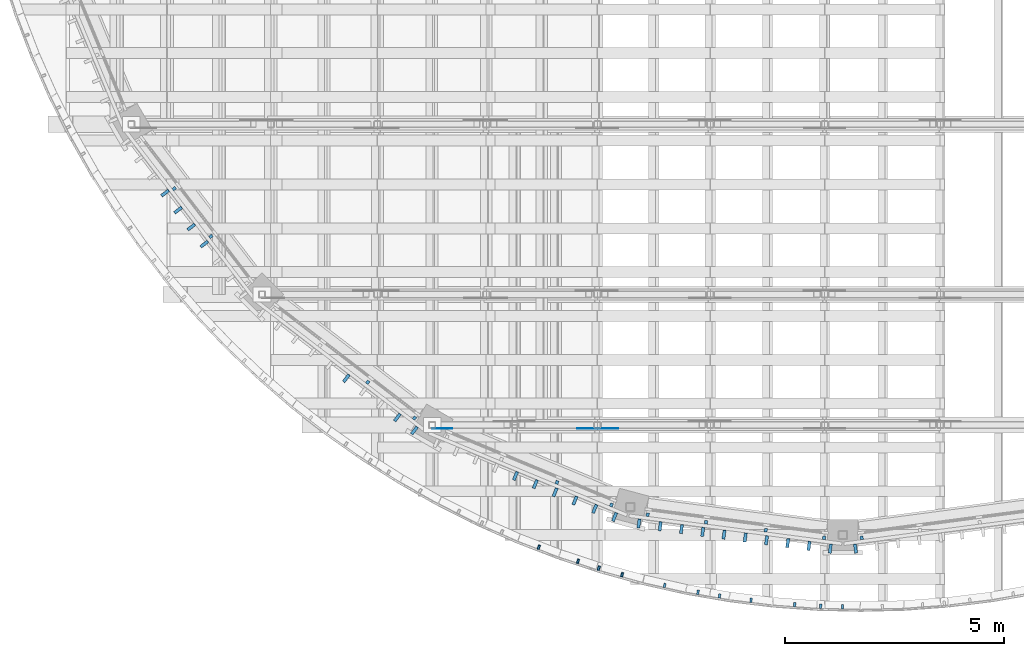
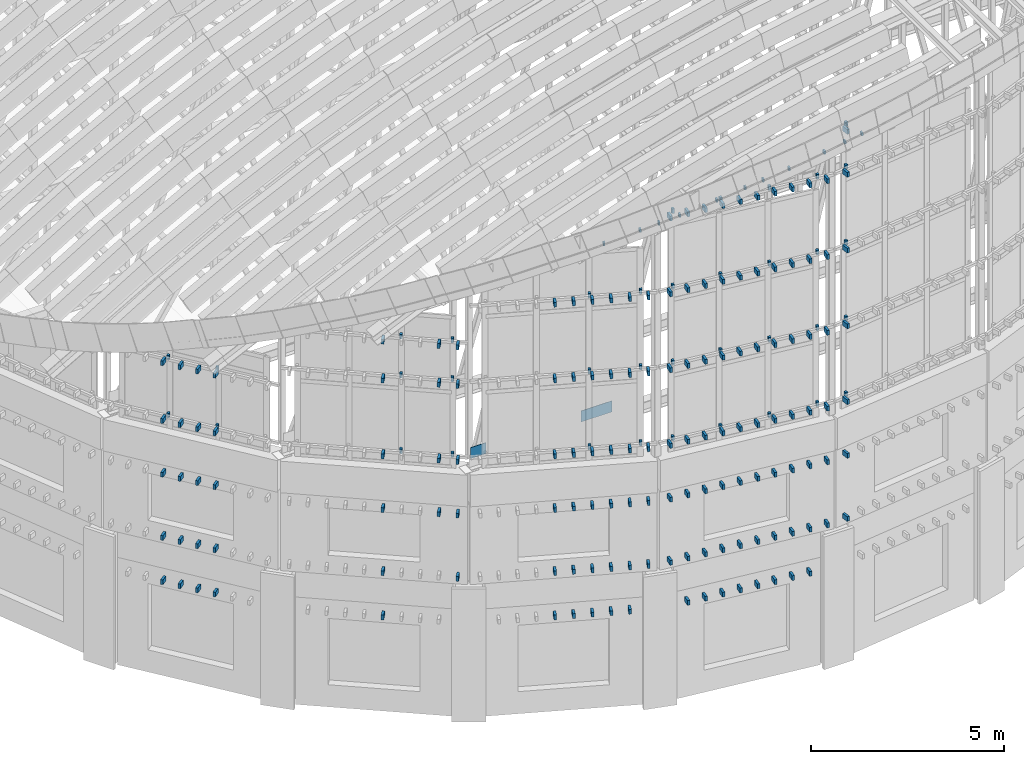
# One storey, part 68 of 105: 195 discrete accessories.
"""IFC4 building model written with IfcOpenShell, lengths in metres."""

from ifc_helpers import new_model, si_unit, direction, frame, origin, origin_2d, place, context, subcontext, project, spatial, polyline, rectangle, outline, extrude, material, type_object, element, save


model = new_model("IFC4")

# Units and contexts
model_context = context("Model", 3, precision=1e-05, world=origin(), true_north=direction((0.0, 1.0)))
body_context = subcontext(model_context, "Body", "Model", "MODEL_VIEW")
ifc_project = project(units=[si_unit("LENGTHUNIT", "METRE"), si_unit("AREAUNIT", "SQUARE_METRE"), si_unit("VOLUMEUNIT", "CUBIC_METRE"), si_unit("PLANEANGLEUNIT", "RADIAN"), si_unit("MASSUNIT", "GRAM", prefix="KILO")], contexts=[model_context])

# Site, building, storey
site_placement = place(None, origin())
site = spatial("IfcSite", under=ifc_project, at=site_placement, CompositionType="ELEMENT")
building_placement = place(site_placement, origin())
building = spatial("IfcBuilding", under=site, at=building_placement, Name="Wasatch Bagh Community Centre", CompositionType="ELEMENT")
storey_placement = place(building_placement, frame((0.0, 0.0, 16.800048828125)))
storey = spatial("IfcBuildingStorey", under=building, at=storey_placement, Name="L04", CompositionType="ELEMENT", Elevation=16.800048828125)

# Discrete accessories
ifc_material = material(Name="ASTM A36 steel", Category="steel")
discrete_accessory_type_1 = type_object("IfcDiscreteAccessoryType", Name="MH fascia bracket", PredefinedType="BRACKET", material=ifc_material)
for number, where, z_axis, x_axis, name in (
    (1, (35.991455078125, 14.610107421875, 17.50634765625), (0.0, 0.0, 1.0), (-0.024541228523, -0.999698818696, 0.0), "Fascia bracket 38"),
    (2, (35.4921875, 14.622314453125, 17.415283203125), (0.0, 0.0, 1.0), (-0.024541228523, -0.999698818696, 0.0), "Fascia bracket 39"),
    (3, (34.899658203125, 14.661376953125, 17.275634765625), (0.0, 0.0, 1.0), (-0.0735645636, -0.997290456679, 0.0), "Fascia bracket 40"),
    (4, (33.903564453125, 14.759521484375, 17.04052734375), (0.0, 0.0, 1.0), (-0.122410675199, -0.992479534599, 0.0), "Fascia bracket 41"),
    (5, (33.1845703125, 14.859375, 16.870849609375), (0.0, 0.0, 1.0), (-0.17096188876, -0.985277642389, 0.0), "Fascia bracket 42"),
    (6, (32.692626953125, 14.944580078125, 16.745849609375), (0.0, 0.0, 1.0), (-0.17096188876, -0.985277642389, 0.0), "Fascia bracket 43"),
    (7, (31.931640625, 15.1015625, 16.5244140625), (0.0, 0.0, 1.0), (-0.219101240157, -0.975702130039, 0.0), "Fascia bracket 44"),
    (8, (30.960693359375, 15.344970703125, 16.24169921875), (0.0, 0.0, 1.0), (-0.266712757475, -0.963776065795, 0.0), "Fascia bracket 45"),
    (9, (30.42822265625, 15.494873046875, 16.0869140625), (0.0, 0.0, 1.0), (-0.313681740399, -0.949528180593, 0.0), "Fascia bracket 46"),
    (10, (29.9541015625, 15.651611328125, 15.93212890625), (0.0, 0.0, 1.0), (-0.313681740399, -0.949528180593, 0.0), "Fascia bracket 47"),
    (11, (29.060302734375, 15.97265625, 15.62109375), (0.0, 0.0, 1.0), (-0.359895036535, -0.932992798835, 0.0), "Fascia bracket 48"),
):
    element("IfcDiscreteAccessory", number, at=place(storey_placement, frame(where, z_axis=z_axis, x_axis=x_axis)), inside=storey, type_object=discrete_accessory_type_1, Name=name, PredefinedType="BRACKET", context=body_context, shape_type="SweptSolid", body=[
        extrude(rectangle(XDim=0.10009765625, YDim=0.050048828125, at=origin_2d()), origin(), (0.0, 0.0, 1.0), 0.10009765625),
    ])
discrete_accessory_type_2 = type_object("IfcDiscreteAccessoryType", Name="MH fin bracket", PredefinedType="BRACKET", material=ifc_material)
for number, where, z_axis, x_axis, name in (
    (12, (20.52734375, 24.052734375, 3.02490234375), (0.0, 0.0, 1.0), (0.608761429009, -0.793353340291, 0.0), "Fin bracket 3.4.4"),
    (13, (20.52734375, 24.052734375, 4.425048828125), (0.0, 0.0, 1.0), (0.608761429009, -0.793353340291, 0.0), "Fin bracket 3.4.5"),
    (14, (20.52734375, 24.052734375, 6.425048828125), (0.0, 0.0, 1.0), (0.608761429009, -0.793353340291, 0.0), "Fin bracket 3.4.6"),
    (15, (20.8251953125, 23.66455078125, 3.02490234375), (0.0, 0.0, 1.0), (0.608761429009, -0.793353340291, 0.0), "Fin bracket 3.5.4"),
    (16, (20.8251953125, 23.66455078125, 4.425048828125), (0.0, 0.0, 1.0), (0.608761429009, -0.793353340291, 0.0), "Fin bracket 3.5.5"),
    (17, (20.8251953125, 23.66455078125, 6.425048828125), (0.0, 0.0, 1.0), (0.608761429009, -0.793353340291, 0.0), "Fin bracket 3.5.6"),
    (18, (21.123291015625, 23.276123046875, 3.02490234375), (0.0, 0.0, 1.0), (0.608761429009, -0.793353340291, 0.0), "Fin bracket 3.6.4"),
    (19, (21.123291015625, 23.276123046875, 4.425048828125), (0.0, 0.0, 1.0), (0.608761429009, -0.793353340291, 0.0), "Fin bracket 3.6.5"),
    (20, (21.123291015625, 23.276123046875, 6.425048828125), (0.0, 0.0, 1.0), (0.608761429009, -0.793353340291, 0.0), "Fin bracket 3.6.6"),
    (21, (21.421142578125, 22.887939453125, 3.02490234375), (0.0, 0.0, 1.0), (0.608761429009, -0.793353340291, 0.0), "Fin bracket 3.7.4"),
    (22, (21.421142578125, 22.887939453125, 4.425048828125), (0.0, 0.0, 1.0), (0.608761429009, -0.793353340291, 0.0), "Fin bracket 3.7.5"),
    (23, (21.421142578125, 22.887939453125, 6.425048828125), (0.0, 0.0, 1.0), (0.608761429009, -0.793353340291, 0.0), "Fin bracket 3.7.6"),
    (24, (24.66455078125, 19.8251953125, 3.02490234375), (0.0, 0.0, 1.0), (0.793353340291, -0.608761429009, 0.0), "Fin bracket 4.6.4"),
    (25, (24.66455078125, 19.8251953125, 4.425048828125), (0.0, 0.0, 1.0), (0.793353340291, -0.608761429009, 0.0), "Fin bracket 4.6.5"),
    (26, (24.66455078125, 19.8251953125, 6.425048828125), (0.0, 0.0, 1.0), (0.793353340291, -0.608761429009, 0.0), "Fin bracket 4.6.6"),
    (27, (25.829345703125, 18.931396484375, 6.425048828125), (0.0, 0.0, 1.0), (0.793353340291, -0.608761429009, 0.0), "Fin bracket 4.9.6"),
    (28, (26.2177734375, 18.63330078125, 4.425048828125), (0.0, 0.0, 1.0), (0.793353340291, -0.608761429009, 0.0), "Fin bracket 4.10.5"),
    (29, (26.2177734375, 18.63330078125, 6.425048828125), (0.0, 0.0, 1.0), (0.793353340291, -0.608761429009, 0.0), "Fin bracket 4.10.6"),
    (30, (28.526123046875, 17.595703125, 3.02490234375), (0.0, 0.0, 1.0), (0.923879532511, -0.382683432365, 0.0), "Fin bracket 5.5.4"),
    (31, (28.526123046875, 17.595703125, 4.425048828125), (0.0, 0.0, 1.0), (0.923879532511, -0.382683432365, 0.0), "Fin bracket 5.5.5"),
    (32, (28.526123046875, 17.595703125, 6.425048828125), (0.0, 0.0, 1.0), (0.923879532511, -0.382683432365, 0.0), "Fin bracket 5.5.6"),
    (33, (28.978271484375, 17.408447265625, 3.02490234375), (0.0, 0.0, 1.0), (0.923879532511, -0.382683432365, 0.0), "Fin bracket 5.6.4"),
    (34, (28.978271484375, 17.408447265625, 4.425048828125), (0.0, 0.0, 1.0), (0.923879532511, -0.382683432365, 0.0), "Fin bracket 5.6.5"),
    (35, (28.978271484375, 17.408447265625, 6.425048828125), (0.0, 0.0, 1.0), (0.923879532511, -0.382683432365, 0.0), "Fin bracket 5.6.6"),
    (36, (29.430419921875, 17.22119140625, 3.02490234375), (0.0, 0.0, 1.0), (0.923879532511, -0.382683432365, 0.0), "Fin bracket 5.7.4"),
    (37, (29.430419921875, 17.22119140625, 4.425048828125), (0.0, 0.0, 1.0), (0.923879532511, -0.382683432365, 0.0), "Fin bracket 5.7.5"),
    (38, (29.430419921875, 17.22119140625, 6.425048828125), (0.0, 0.0, 1.0), (0.923879532511, -0.382683432365, 0.0), "Fin bracket 5.7.6"),
    (39, (29.882568359375, 17.033935546875, 3.02490234375), (0.0, 0.0, 1.0), (0.923879532511, -0.382683432365, 0.0), "Fin bracket 5.8.4"),
    (40, (29.882568359375, 17.033935546875, 4.425048828125), (0.0, 0.0, 1.0), (0.923879532511, -0.382683432365, 0.0), "Fin bracket 5.8.5"),
    (41, (29.882568359375, 17.033935546875, 6.425048828125), (0.0, 0.0, 1.0), (0.923879532511, -0.382683432365, 0.0), "Fin bracket 5.8.6"),
    (42, (30.3349609375, 16.846435546875, 3.02490234375), (0.0, 0.0, 1.0), (0.923879532511, -0.382683432365, 0.0), "Fin bracket 5.9.4"),
    (43, (30.3349609375, 16.846435546875, 4.425048828125), (0.0, 0.0, 1.0), (0.923879532511, -0.382683432365, 0.0), "Fin bracket 5.9.5"),
    (44, (30.3349609375, 16.846435546875, 6.425048828125), (0.0, 0.0, 1.0), (0.923879532511, -0.382683432365, 0.0), "Fin bracket 5.9.6"),
    (45, (30.787109375, 16.6591796875, 4.425048828125), (0.0, 0.0, 1.0), (0.923879532511, -0.382683432365, 0.0), "Fin bracket 5.10.5"),
    (46, (30.787109375, 16.6591796875, 6.425048828125), (0.0, 0.0, 1.0), (0.923879532511, -0.382683432365, 0.0), "Fin bracket 5.10.6"),
    (47, (31.343994140625, 16.510009765625, 4.425048828125), (0.0, 0.0, 1.0), (0.991444861374, -0.13052619222, 0.0), "Fin bracket 6.1.5"),
    (48, (31.343994140625, 16.510009765625, 6.425048828125), (0.0, 0.0, 1.0), (0.991444861374, -0.13052619222, 0.0), "Fin bracket 6.1.6"),
    (49, (31.829345703125, 16.446044921875, 3.02490234375), (0.0, 0.0, 1.0), (0.991444861374, -0.13052619222, 0.0), "Fin bracket 6.2.4"),
    (50, (31.829345703125, 16.446044921875, 4.425048828125), (0.0, 0.0, 1.0), (0.991444861374, -0.13052619222, 0.0), "Fin bracket 6.2.5"),
    (51, (31.829345703125, 16.446044921875, 6.425048828125), (0.0, 0.0, 1.0), (0.991444861374, -0.13052619222, 0.0), "Fin bracket 6.2.6"),
    (52, (32.314697265625, 16.382080078125, 3.02490234375), (0.0, 0.0, 1.0), (0.991444861374, -0.13052619222, 0.0), "Fin bracket 6.3.4"),
    (53, (32.314697265625, 16.382080078125, 4.425048828125), (0.0, 0.0, 1.0), (0.991444861374, -0.13052619222, 0.0), "Fin bracket 6.3.5"),
    (54, (32.314697265625, 16.382080078125, 6.425048828125), (0.0, 0.0, 1.0), (0.991444861374, -0.13052619222, 0.0), "Fin bracket 6.3.6"),
    (55, (32.800048828125, 16.318359375, 3.02490234375), (0.0, 0.0, 1.0), (0.991444861374, -0.13052619222, 0.0), "Fin bracket 6.4.4"),
    (56, (32.800048828125, 16.318359375, 4.425048828125), (0.0, 0.0, 1.0), (0.991444861374, -0.13052619222, 0.0), "Fin bracket 6.4.5"),
    (57, (32.800048828125, 16.318359375, 6.425048828125), (0.0, 0.0, 1.0), (0.991444861374, -0.13052619222, 0.0), "Fin bracket 6.4.6"),
    (58, (33.28515625, 16.25439453125, 3.02490234375), (0.0, 0.0, 1.0), (0.991444861374, -0.13052619222, 0.0), "Fin bracket 6.5.4"),
    (59, (33.28515625, 16.25439453125, 4.425048828125), (0.0, 0.0, 1.0), (0.991444861374, -0.13052619222, 0.0), "Fin bracket 6.5.5"),
    (60, (33.28515625, 16.25439453125, 6.425048828125), (0.0, 0.0, 1.0), (0.991444861374, -0.13052619222, 0.0), "Fin bracket 6.5.6"),
    (61, (33.7705078125, 16.1904296875, 3.02490234375), (0.0, 0.0, 1.0), (0.991444861374, -0.13052619222, 0.0), "Fin bracket 6.6.4"),
    (62, (33.7705078125, 16.1904296875, 4.425048828125), (0.0, 0.0, 1.0), (0.991444861374, -0.13052619222, 0.0), "Fin bracket 6.6.5"),
    (63, (33.7705078125, 16.1904296875, 6.425048828125), (0.0, 0.0, 1.0), (0.991444861374, -0.13052619222, 0.0), "Fin bracket 6.6.6"),
    (64, (34.255859375, 16.126708984375, 3.02490234375), (0.0, 0.0, 1.0), (0.991444861374, -0.13052619222, 0.0), "Fin bracket 6.7.4"),
    (65, (34.255859375, 16.126708984375, 4.425048828125), (0.0, 0.0, 1.0), (0.991444861374, -0.13052619222, 0.0), "Fin bracket 6.7.5"),
    (66, (34.255859375, 16.126708984375, 6.425048828125), (0.0, 0.0, 1.0), (0.991444861374, -0.13052619222, 0.0), "Fin bracket 6.7.6"),
    (67, (34.7412109375, 16.062744140625, 3.02490234375), (0.0, 0.0, 1.0), (0.991444861374, -0.13052619222, 0.0), "Fin bracket 6.8.4"),
    (68, (34.7412109375, 16.062744140625, 4.425048828125), (0.0, 0.0, 1.0), (0.991444861374, -0.13052619222, 0.0), "Fin bracket 6.8.5"),
    (69, (34.7412109375, 16.062744140625, 6.425048828125), (0.0, 0.0, 1.0), (0.991444861374, -0.13052619222, 0.0), "Fin bracket 6.8.6"),
    (70, (35.226318359375, 15.998779296875, 3.02490234375), (0.0, 0.0, 1.0), (0.991444861374, -0.13052619222, 0.0), "Fin bracket 6.9.4"),
    (71, (35.226318359375, 15.998779296875, 4.425048828125), (0.0, 0.0, 1.0), (0.991444861374, -0.13052619222, 0.0), "Fin bracket 6.9.5"),
    (72, (35.226318359375, 15.998779296875, 6.425048828125), (0.0, 0.0, 1.0), (0.991444861374, -0.13052619222, 0.0), "Fin bracket 6.9.6"),
    (73, (35.711669921875, 15.93505859375, 4.425048828125), (0.0, 0.0, 1.0), (0.991444861374, -0.13052619222, 0.0), "Fin bracket 6.10.5"),
    (74, (35.711669921875, 15.93505859375, 6.425048828125), (0.0, 0.0, 1.0), (0.991444861374, -0.13052619222, 0.0), "Fin bracket 6.10.6"),
    (75, (36.288330078125, 15.93505859375, 4.425048828125), (0.0, 0.0, 1.0), (0.991444861374, 0.13052619222, 0.0), "Fin bracket 7.1.5"),
    (76, (36.288330078125, 15.93505859375, 6.425048828125), (0.0, 0.0, 1.0), (0.991444861374, 0.13052619222, 0.0), "Fin bracket 7.1.6"),
):
    element("IfcDiscreteAccessory", number, at=place(storey_placement, frame(where, z_axis=z_axis, x_axis=x_axis)), inside=storey, type_object=discrete_accessory_type_2, Name=name, PredefinedType="BRACKET", context=body_context, shape_type="SweptSolid", body=[
        extrude(rectangle(XDim=0.070068359375, YDim=0.199951171875, at=origin_2d()), origin(), (0.0, 0.0, 1.0), 0.14990234375),
    ])
discrete_accessory_type_3 = type_object("IfcDiscreteAccessoryType", Name="MH fin bracket (rail)", PredefinedType="BRACKET", material=ifc_material)
for number, where, z_axis, x_axis, name in (
    (77, (20.53125, 24.055908203125, 8.125), (0.0, 0.0, 1.0), (0.608761429009, -0.793353340291, 0.0), "Fin bracket 3.4.r1"),
    (78, (20.8291015625, 23.66748046875, 8.125), (0.0, 0.0, 1.0), (0.608761429009, -0.793353340291, 0.0), "Fin bracket 3.5.r1"),
    (79, (21.127197265625, 23.279296875, 8.125), (0.0, 0.0, 1.0), (0.608761429009, -0.793353340291, 0.0), "Fin bracket 3.6.r1"),
    (80, (21.425048828125, 22.890869140625, 8.125), (0.0, 0.0, 1.0), (0.608761429009, -0.793353340291, 0.0), "Fin bracket 3.7.r1"),
    (81, (20.53125, 24.055908203125, 9.955078125), (0.0, 0.0, 1.0), (0.608761429009, -0.793353340291, 0.0), "Fin bracket 3.4.r2"),
    (82, (20.8291015625, 23.66748046875, 9.955078125), (0.0, 0.0, 1.0), (0.608761429009, -0.793353340291, 0.0), "Fin bracket 3.5.r2"),
    (83, (21.127197265625, 23.279296875, 9.955078125), (0.0, 0.0, 1.0), (0.608761429009, -0.793353340291, 0.0), "Fin bracket 3.6.r2"),
    (84, (21.425048828125, 22.890869140625, 9.955078125), (0.0, 0.0, 1.0), (0.608761429009, -0.793353340291, 0.0), "Fin bracket 3.7.r2"),
    (85, (24.66748046875, 19.8291015625, 8.125), (0.0, 0.0, 1.0), (0.793353340291, -0.608761429009, 0.0), "Fin bracket 4.6.r1"),
    (86, (25.83251953125, 18.935302734375, 8.125), (0.0, 0.0, 1.0), (0.793353340291, -0.608761429009, 0.0), "Fin bracket 4.9.r1"),
    (87, (26.220703125, 18.63720703125, 8.125), (0.0, 0.0, 1.0), (0.793353340291, -0.608761429009, 0.0), "Fin bracket 4.10.r1"),
    (88, (24.66748046875, 19.8291015625, 10.52490234375), (0.0, 0.0, 1.0), (0.793353340291, -0.608761429009, 0.0), "Fin bracket 4.6.r2"),
    (89, (25.83251953125, 18.935302734375, 10.52490234375), (0.0, 0.0, 1.0), (0.793353340291, -0.608761429009, 0.0), "Fin bracket 4.9.r2"),
    (90, (26.220703125, 18.63720703125, 10.52490234375), (0.0, 0.0, 1.0), (0.793353340291, -0.608761429009, 0.0), "Fin bracket 4.10.r2"),
    (91, (24.66748046875, 19.8291015625, 11.7548828125), (0.0, 0.0, 1.0), (0.793353340291, -0.608761429009, 0.0), "Fin bracket 4.6.r3"),
    (92, (25.83251953125, 18.935302734375, 11.7548828125), (0.0, 0.0, 1.0), (0.793353340291, -0.608761429009, 0.0), "Fin bracket 4.9.r3"),
    (93, (26.220703125, 18.63720703125, 11.7548828125), (0.0, 0.0, 1.0), (0.793353340291, -0.608761429009, 0.0), "Fin bracket 4.10.r3"),
    (94, (28.52783203125, 17.600341796875, 8.125), (0.0, 0.0, 1.0), (0.923879532511, -0.382683432365, 0.0), "Fin bracket 5.5.r1"),
    (95, (28.980224609375, 17.4130859375, 8.125), (0.0, 0.0, 1.0), (0.923879532511, -0.382683432365, 0.0), "Fin bracket 5.6.r1"),
    (96, (29.432373046875, 17.225830078125, 8.125), (0.0, 0.0, 1.0), (0.923879532511, -0.382683432365, 0.0), "Fin bracket 5.7.r1"),
    (97, (29.884521484375, 17.038330078125, 8.125), (0.0, 0.0, 1.0), (0.923879532511, -0.382683432365, 0.0), "Fin bracket 5.8.r1"),
    (98, (30.3369140625, 16.85107421875, 8.125), (0.0, 0.0, 1.0), (0.923879532511, -0.382683432365, 0.0), "Fin bracket 5.9.r1"),
    (99, (30.7890625, 16.663818359375, 8.125), (0.0, 0.0, 1.0), (0.923879532511, -0.382683432365, 0.0), "Fin bracket 5.10.r1"),
    (100, (28.52783203125, 17.600341796875, 10.52490234375), (0.0, 0.0, 1.0), (0.923879532511, -0.382683432365, 0.0), "Fin bracket 5.5.r2"),
    (101, (28.980224609375, 17.4130859375, 10.52490234375), (0.0, 0.0, 1.0), (0.923879532511, -0.382683432365, 0.0), "Fin bracket 5.6.r2"),
    (102, (29.432373046875, 17.225830078125, 10.52490234375), (0.0, 0.0, 1.0), (0.923879532511, -0.382683432365, 0.0), "Fin bracket 5.7.r2"),
    (103, (29.884521484375, 17.038330078125, 10.52490234375), (0.0, 0.0, 1.0), (0.923879532511, -0.382683432365, 0.0), "Fin bracket 5.8.r2"),
    (104, (30.3369140625, 16.85107421875, 10.52490234375), (0.0, 0.0, 1.0), (0.923879532511, -0.382683432365, 0.0), "Fin bracket 5.9.r2"),
    (105, (30.7890625, 16.663818359375, 10.52490234375), (0.0, 0.0, 1.0), (0.923879532511, -0.382683432365, 0.0), "Fin bracket 5.10.r2"),
    (106, (28.52783203125, 17.600341796875, 12.925048828125), (0.0, 0.0, 1.0), (0.923879532511, -0.382683432365, 0.0), "Fin bracket 5.5.r3"),
    (107, (28.980224609375, 17.4130859375, 12.925048828125), (0.0, 0.0, 1.0), (0.923879532511, -0.382683432365, 0.0), "Fin bracket 5.6.r3"),
    (108, (29.432373046875, 17.225830078125, 12.925048828125), (0.0, 0.0, 1.0), (0.923879532511, -0.382683432365, 0.0), "Fin bracket 5.7.r3"),
    (109, (29.884521484375, 17.038330078125, 12.925048828125), (0.0, 0.0, 1.0), (0.923879532511, -0.382683432365, 0.0), "Fin bracket 5.8.r3"),
    (110, (30.3369140625, 16.85107421875, 12.925048828125), (0.0, 0.0, 1.0), (0.923879532511, -0.382683432365, 0.0), "Fin bracket 5.9.r3"),
    (111, (30.7890625, 16.663818359375, 12.925048828125), (0.0, 0.0, 1.0), (0.923879532511, -0.382683432365, 0.0), "Fin bracket 5.10.r3"),
    (112, (31.3447265625, 16.514892578125, 8.125), (0.0, 0.0, 1.0), (0.991444861374, -0.13052619222, 0.0), "Fin bracket 6.1.r1"),
    (113, (31.830078125, 16.450927734375, 8.125), (0.0, 0.0, 1.0), (0.991444861374, -0.13052619222, 0.0), "Fin bracket 6.2.r1"),
    (114, (32.3154296875, 16.38720703125, 8.125), (0.0, 0.0, 1.0), (0.991444861374, -0.13052619222, 0.0), "Fin bracket 6.3.r1"),
    (115, (32.800537109375, 16.3232421875, 8.125), (0.0, 0.0, 1.0), (0.991444861374, -0.13052619222, 0.0), "Fin bracket 6.4.r1"),
    (116, (33.285888671875, 16.25927734375, 8.125), (0.0, 0.0, 1.0), (0.991444861374, -0.13052619222, 0.0), "Fin bracket 6.5.r1"),
    (117, (33.771240234375, 16.195556640625, 8.125), (0.0, 0.0, 1.0), (0.991444861374, -0.13052619222, 0.0), "Fin bracket 6.6.r1"),
    (118, (34.25634765625, 16.131591796875, 8.125), (0.0, 0.0, 1.0), (0.991444861374, -0.13052619222, 0.0), "Fin bracket 6.7.r1"),
    (119, (34.74169921875, 16.067626953125, 8.125), (0.0, 0.0, 1.0), (0.991444861374, -0.13052619222, 0.0), "Fin bracket 6.8.r1"),
    (120, (35.22705078125, 16.00390625, 8.125), (0.0, 0.0, 1.0), (0.991444861374, -0.13052619222, 0.0), "Fin bracket 6.9.r1"),
    (121, (35.71240234375, 15.93994140625, 8.125), (0.0, 0.0, 1.0), (0.991444861374, -0.13052619222, 0.0), "Fin bracket 6.10.r1"),
    (122, (31.3447265625, 16.514892578125, 10.52490234375), (0.0, 0.0, 1.0), (0.991444861374, -0.13052619222, 0.0), "Fin bracket 6.1.r2"),
    (123, (31.830078125, 16.450927734375, 10.52490234375), (0.0, 0.0, 1.0), (0.991444861374, -0.13052619222, 0.0), "Fin bracket 6.2.r2"),
    (124, (32.3154296875, 16.38720703125, 10.52490234375), (0.0, 0.0, 1.0), (0.991444861374, -0.13052619222, 0.0), "Fin bracket 6.3.r2"),
    (125, (32.800537109375, 16.3232421875, 10.52490234375), (0.0, 0.0, 1.0), (0.991444861374, -0.13052619222, 0.0), "Fin bracket 6.4.r2"),
    (126, (33.285888671875, 16.25927734375, 10.52490234375), (0.0, 0.0, 1.0), (0.991444861374, -0.13052619222, 0.0), "Fin bracket 6.5.r2"),
    (127, (33.771240234375, 16.195556640625, 10.52490234375), (0.0, 0.0, 1.0), (0.991444861374, -0.13052619222, 0.0), "Fin bracket 6.6.r2"),
    (128, (34.25634765625, 16.131591796875, 10.52490234375), (0.0, 0.0, 1.0), (0.991444861374, -0.13052619222, 0.0), "Fin bracket 6.7.r2"),
    (129, (34.74169921875, 16.067626953125, 10.52490234375), (0.0, 0.0, 1.0), (0.991444861374, -0.13052619222, 0.0), "Fin bracket 6.8.r2"),
    (130, (35.22705078125, 16.00390625, 10.52490234375), (0.0, 0.0, 1.0), (0.991444861374, -0.13052619222, 0.0), "Fin bracket 6.9.r2"),
    (131, (35.71240234375, 15.93994140625, 10.52490234375), (0.0, 0.0, 1.0), (0.991444861374, -0.13052619222, 0.0), "Fin bracket 6.10.r2"),
    (132, (31.3447265625, 16.514892578125, 12.925048828125), (0.0, 0.0, 1.0), (0.991444861374, -0.13052619222, 0.0), "Fin bracket 6.1.r3"),
    (133, (31.830078125, 16.450927734375, 12.925048828125), (0.0, 0.0, 1.0), (0.991444861374, -0.13052619222, 0.0), "Fin bracket 6.2.r3"),
    (134, (32.3154296875, 16.38720703125, 12.925048828125), (0.0, 0.0, 1.0), (0.991444861374, -0.13052619222, 0.0), "Fin bracket 6.3.r3"),
    (135, (32.800537109375, 16.3232421875, 12.925048828125), (0.0, 0.0, 1.0), (0.991444861374, -0.13052619222, 0.0), "Fin bracket 6.4.r3"),
    (136, (33.285888671875, 16.25927734375, 12.925048828125), (0.0, 0.0, 1.0), (0.991444861374, -0.13052619222, 0.0), "Fin bracket 6.5.r3"),
    (137, (33.771240234375, 16.195556640625, 12.925048828125), (0.0, 0.0, 1.0), (0.991444861374, -0.13052619222, 0.0), "Fin bracket 6.6.r3"),
    (138, (34.25634765625, 16.131591796875, 12.925048828125), (0.0, 0.0, 1.0), (0.991444861374, -0.13052619222, 0.0), "Fin bracket 6.7.r3"),
    (139, (34.74169921875, 16.067626953125, 12.925048828125), (0.0, 0.0, 1.0), (0.991444861374, -0.13052619222, 0.0), "Fin bracket 6.8.r3"),
    (140, (35.22705078125, 16.00390625, 12.925048828125), (0.0, 0.0, 1.0), (0.991444861374, -0.13052619222, 0.0), "Fin bracket 6.9.r3"),
    (141, (35.71240234375, 15.93994140625, 12.925048828125), (0.0, 0.0, 1.0), (0.991444861374, -0.13052619222, 0.0), "Fin bracket 6.10.r3"),
    (142, (31.3447265625, 16.514892578125, 15.324951171875), (0.0, 0.0, 1.0), (0.991444861374, -0.13052619222, 0.0), "Fin bracket 6.1.r4"),
    (143, (31.830078125, 16.450927734375, 15.324951171875), (0.0, 0.0, 1.0), (0.991444861374, -0.13052619222, 0.0), "Fin bracket 6.2.r4"),
    (144, (32.3154296875, 16.38720703125, 15.324951171875), (0.0, 0.0, 1.0), (0.991444861374, -0.13052619222, 0.0), "Fin bracket 6.3.r4"),
    (145, (32.800537109375, 16.3232421875, 15.324951171875), (0.0, 0.0, 1.0), (0.991444861374, -0.13052619222, 0.0), "Fin bracket 6.4.r4"),
    (146, (33.285888671875, 16.25927734375, 15.324951171875), (0.0, 0.0, 1.0), (0.991444861374, -0.13052619222, 0.0), "Fin bracket 6.5.r4"),
    (147, (33.771240234375, 16.195556640625, 15.324951171875), (0.0, 0.0, 1.0), (0.991444861374, -0.13052619222, 0.0), "Fin bracket 6.6.r4"),
    (148, (34.25634765625, 16.131591796875, 15.324951171875), (0.0, 0.0, 1.0), (0.991444861374, -0.13052619222, 0.0), "Fin bracket 6.7.r4"),
    (149, (34.74169921875, 16.067626953125, 15.324951171875), (0.0, 0.0, 1.0), (0.991444861374, -0.13052619222, 0.0), "Fin bracket 6.8.r4"),
    (150, (35.22705078125, 16.00390625, 15.324951171875), (0.0, 0.0, 1.0), (0.991444861374, -0.13052619222, 0.0), "Fin bracket 6.9.r4"),
    (151, (35.71240234375, 15.93994140625, 15.324951171875), (0.0, 0.0, 1.0), (0.991444861374, -0.13052619222, 0.0), "Fin bracket 6.10.r4"),
    (152, (36.28759765625, 15.93994140625, 8.125), (0.0, 0.0, 1.0), (0.991444861374, 0.13052619222, 0.0), "Fin bracket 7.1.r1"),
    (153, (36.28759765625, 15.93994140625, 10.52490234375), (0.0, 0.0, 1.0), (0.991444861374, 0.13052619222, 0.0), "Fin bracket 7.1.r2"),
    (154, (36.28759765625, 15.93994140625, 12.925048828125), (0.0, 0.0, 1.0), (0.991444861374, 0.13052619222, 0.0), "Fin bracket 7.1.r3"),
    (155, (36.28759765625, 15.93994140625, 15.324951171875), (0.0, 0.0, 1.0), (0.991444861374, 0.13052619222, 0.0), "Fin bracket 7.1.r4"),
    (156, (36.28759765625, 15.93994140625, 16.68505859375), (0.0, 0.0, 1.0), (0.991444861374, 0.13052619222, 0.0), "Fin bracket 7.1.r5"),
):
    element("IfcDiscreteAccessory", number, at=place(storey_placement, frame(where, z_axis=z_axis, x_axis=x_axis)), inside=storey, type_object=discrete_accessory_type_3, Name=name, PredefinedType="BRACKET", context=body_context, shape_type="SweptSolid", body=[
        extrude(rectangle(XDim=0.070068359375, YDim=0.2099609375, at=origin_2d()), origin(), (0.0, 0.0, 1.0), 0.14990234375),
    ])
discrete_accessory_type_4 = type_object("IfcDiscreteAccessoryType", Name="MH fin rail stand-off", PredefinedType="BRACKET", material=ifc_material)
for number, where, z_axis, x_axis, name in (
    (157, (20.738525390625, 24.1552734375, 8.125), (0.0, 0.0, 1.0), (0.608761429009, -0.793353340291, 0.0), "Rail stand-off 3.1.2"),
    (158, (21.574951171875, 23.065185546875, 8.125), (0.0, 0.0, 1.0), (0.608761429009, -0.793353340291, 0.0), "Rail stand-off 3.1.3"),
    (159, (20.738525390625, 24.1552734375, 9.955078125), (0.0, 0.0, 1.0), (0.608761429009, -0.793353340291, 0.0), "Rail stand-off 3.2.2"),
    (160, (21.574951171875, 23.065185546875, 9.955078125), (0.0, 0.0, 1.0), (0.608761429009, -0.793353340291, 0.0), "Rail stand-off 3.2.3"),
    (161, (25.1552734375, 19.738525390625, 8.125), (0.0, 0.0, 1.0), (0.793353340291, -0.608761429009, 0.0), "Rail stand-off 4.1.3"),
    (162, (26.2216796875, 18.92041015625, 8.125), (0.0, 0.0, 1.0), (0.793353340291, -0.608761429009, 0.0), "Rail stand-off 4.1.4"),
    (163, (25.1552734375, 19.738525390625, 10.52490234375), (0.0, 0.0, 1.0), (0.793353340291, -0.608761429009, 0.0), "Rail stand-off 4.2.3"),
    (164, (26.2216796875, 18.92041015625, 10.52490234375), (0.0, 0.0, 1.0), (0.793353340291, -0.608761429009, 0.0), "Rail stand-off 4.2.4"),
    (165, (25.1552734375, 19.738525390625, 11.7548828125), (0.0, 0.0, 1.0), (0.793353340291, -0.608761429009, 0.0), "Rail stand-off 4.3.3"),
    (166, (26.2216796875, 18.92041015625, 11.7548828125), (0.0, 0.0, 1.0), (0.793353340291, -0.608761429009, 0.0), "Rail stand-off 4.3.4"),
    (167, (29.474853515625, 17.45166015625, 8.125), (0.0, 0.0, 1.0), (0.923879532511, -0.382683432365, 0.0), "Rail stand-off 5.1.3"),
    (168, (30.716552734375, 16.9375, 8.125), (0.0, 0.0, 1.0), (0.923879532511, -0.382683432365, 0.0), "Rail stand-off 5.1.4"),
    (169, (29.474853515625, 17.45166015625, 10.52490234375), (0.0, 0.0, 1.0), (0.923879532511, -0.382683432365, 0.0), "Rail stand-off 5.2.3"),
    (170, (30.716552734375, 16.9375, 10.52490234375), (0.0, 0.0, 1.0), (0.923879532511, -0.382683432365, 0.0), "Rail stand-off 5.2.4"),
    (171, (29.474853515625, 17.45166015625, 12.925048828125), (0.0, 0.0, 1.0), (0.923879532511, -0.382683432365, 0.0), "Rail stand-off 5.3.3"),
    (172, (30.716552734375, 16.9375, 12.925048828125), (0.0, 0.0, 1.0), (0.923879532511, -0.382683432365, 0.0), "Rail stand-off 5.3.4"),
    (173, (31.54443359375, 16.715576171875, 8.125), (0.0, 0.0, 1.0), (0.991444861374, -0.13052619222, 0.0), "Rail stand-off 6.1.1"),
    (174, (32.876708984375, 16.5400390625, 8.125), (0.0, 0.0, 1.0), (0.991444861374, -0.13052619222, 0.0), "Rail stand-off 6.1.2"),
    (175, (34.239013671875, 16.36083984375, 8.125), (0.0, 0.0, 1.0), (0.991444861374, -0.13052619222, 0.0), "Rail stand-off 6.1.3"),
    (176, (35.571533203125, 16.185302734375, 8.125), (0.0, 0.0, 1.0), (0.991444861374, -0.13052619222, 0.0), "Rail stand-off 6.1.4"),
    (177, (31.54443359375, 16.715576171875, 10.52490234375), (0.0, 0.0, 1.0), (0.991444861374, -0.13052619222, 0.0), "Rail stand-off 6.2.1"),
    (178, (32.876708984375, 16.5400390625, 10.52490234375), (0.0, 0.0, 1.0), (0.991444861374, -0.13052619222, 0.0), "Rail stand-off 6.2.2"),
    (179, (34.239013671875, 16.36083984375, 10.52490234375), (0.0, 0.0, 1.0), (0.991444861374, -0.13052619222, 0.0), "Rail stand-off 6.2.3"),
    (180, (35.571533203125, 16.185302734375, 10.52490234375), (0.0, 0.0, 1.0), (0.991444861374, -0.13052619222, 0.0), "Rail stand-off 6.2.4"),
    (181, (31.54443359375, 16.715576171875, 12.925048828125), (0.0, 0.0, 1.0), (0.991444861374, -0.13052619222, 0.0), "Rail stand-off 6.3.1"),
    (182, (32.876708984375, 16.5400390625, 12.925048828125), (0.0, 0.0, 1.0), (0.991444861374, -0.13052619222, 0.0), "Rail stand-off 6.3.2"),
    (183, (34.239013671875, 16.36083984375, 12.925048828125), (0.0, 0.0, 1.0), (0.991444861374, -0.13052619222, 0.0), "Rail stand-off 6.3.3"),
    (184, (35.571533203125, 16.185302734375, 12.925048828125), (0.0, 0.0, 1.0), (0.991444861374, -0.13052619222, 0.0), "Rail stand-off 6.3.4"),
    (185, (31.54443359375, 16.715576171875, 15.324951171875), (0.0, 0.0, 1.0), (0.991444861374, -0.13052619222, 0.0), "Rail stand-off 6.4.1"),
    (186, (32.876708984375, 16.5400390625, 15.324951171875), (0.0, 0.0, 1.0), (0.991444861374, -0.13052619222, 0.0), "Rail stand-off 6.4.2"),
    (187, (34.239013671875, 16.36083984375, 15.324951171875), (0.0, 0.0, 1.0), (0.991444861374, -0.13052619222, 0.0), "Rail stand-off 6.4.3"),
    (188, (35.571533203125, 16.185302734375, 15.324951171875), (0.0, 0.0, 1.0), (0.991444861374, -0.13052619222, 0.0), "Rail stand-off 6.4.4"),
    (189, (36.428466796875, 16.185302734375, 8.125), (0.0, 0.0, 1.0), (0.991444861374, 0.13052619222, 0.0), "Rail stand-off 7.1.1"),
    (190, (36.428466796875, 16.185302734375, 10.52490234375), (0.0, 0.0, 1.0), (0.991444861374, 0.13052619222, 0.0), "Rail stand-off 7.2.1"),
    (191, (36.428466796875, 16.185302734375, 12.925048828125), (0.0, 0.0, 1.0), (0.991444861374, 0.13052619222, 0.0), "Rail stand-off 7.3.1"),
    (192, (36.428466796875, 16.185302734375, 15.324951171875), (0.0, 0.0, 1.0), (0.991444861374, 0.13052619222, 0.0), "Rail stand-off 7.4.1"),
    (193, (36.428466796875, 16.185302734375, 16.68505859375), (0.0, 0.0, 1.0), (0.991444861374, 0.13052619222, 0.0), "Rail stand-off 7.5.1"),
):
    element("IfcDiscreteAccessory", number, at=place(storey_placement, frame(where, z_axis=z_axis, x_axis=x_axis)), inside=storey, type_object=discrete_accessory_type_4, Name=name, PredefinedType="BRACKET", context=body_context, shape_type="SweptSolid", body=[
        extrude(rectangle(XDim=0.070068359375, YDim=0.080078125, at=origin_2d()), origin(), (0.0, 0.0, 1.0), 0.14990234375),
    ])
discrete_accessory_1_placement = place(storey_placement, frame((26.625, 18.67333984375, 8.071044921875), z_axis=(0.0, -1.0, 0.0), x_axis=(1.0, 0.0, 0.0)))
element("IfcDiscreteAccessory", 194, at=discrete_accessory_1_placement, inside=storey, Name="Gusset plate", PredefinedType="BRACKET", context=body_context, shape_type="SweptSolid", body=[
    extrude(outline(polyline([(0.0, 0.0), (0.462890625, 0.0), (0.462890625, 0.35009765625), (0.0, 0.35009765625), (0.0, 0.0)])), origin(), (0.0, 0.0, -1.0), 0.011962890625),
])
discrete_accessory_2_placement = place(storey_placement, frame((29.932861328125, 18.67333984375, 8.071044921875), z_axis=(0.0, -1.0, 0.0), x_axis=(1.0, 0.0, 0.0)))
element("IfcDiscreteAccessory", 195, at=discrete_accessory_2_placement, inside=storey, Name="Gusset plate", PredefinedType="BRACKET", context=body_context, shape_type="SweptSolid", body=[
    extrude(outline(polyline([(0.0, 0.0), (0.9345703125, 0.0), (0.9345703125, 0.35009765625), (0.0, 0.35009765625), (0.0, 0.0)])), origin(), (0.0, 0.0, -1.0), 0.011962890625),
])

save(model, "model.ifc")
